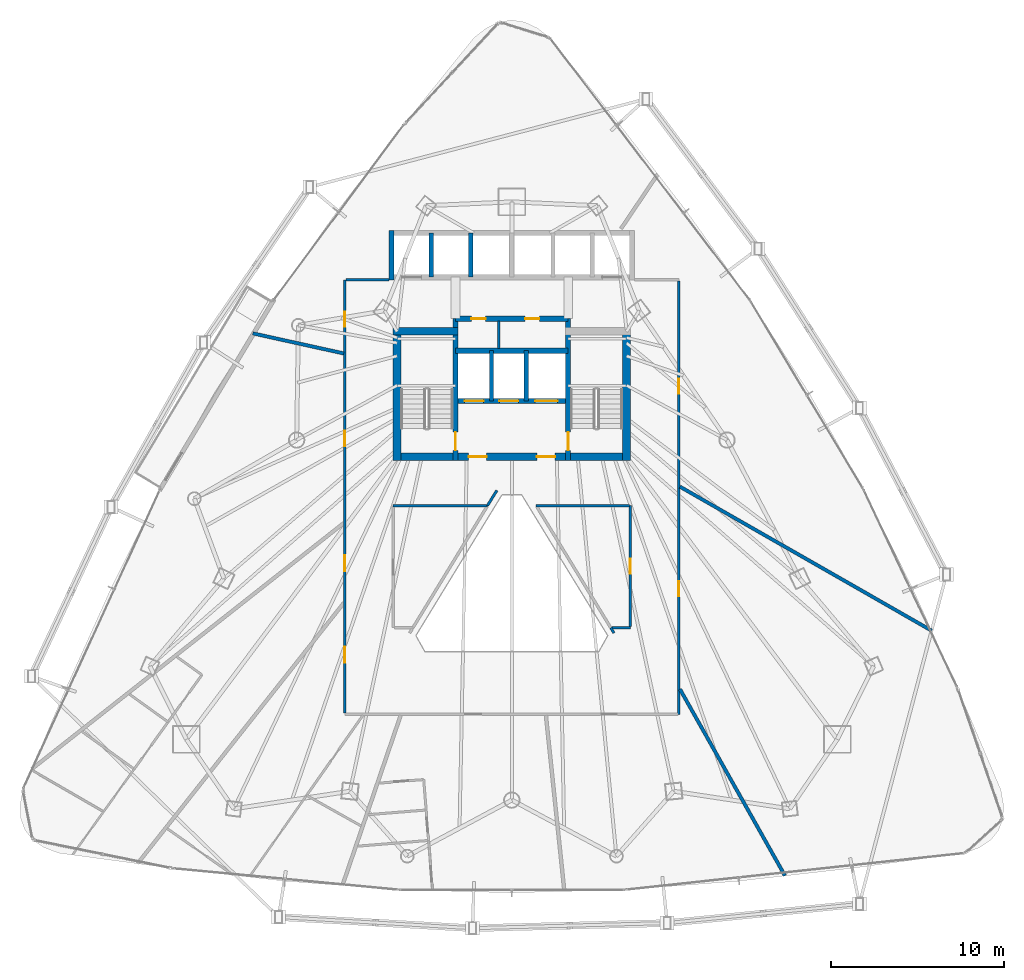
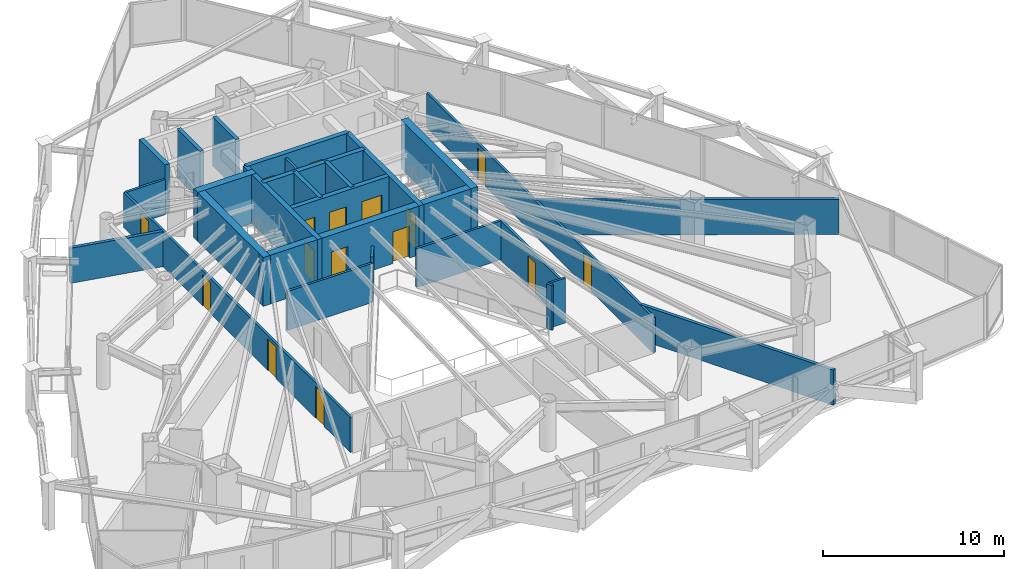
# One storey, part 33 of 38: 27 walls, 16 doors, 16 openings.
"""IFC4 building model written with IfcOpenShell, lengths in metres."""

import ifcopenshell
import ifcopenshell.guid

model = None  # the IFC model being written
_history = None  # IfcOwnerHistory: only IFC2X3 demands one
_inside = {}  # id of a spatial element -> (the spatial element, [elements in it])
_under = {}  # id of a project, library or spatial element -> (it, [spatial elements below it])
_declared = {}  # id of a project -> (the project, [libraries it declares])
_typed = {}  # id of a type object -> (the type object, [elements of that type])
_made_of = {}  # id of a material, layer set ... -> (it, [elements and type objects made of it])


def new_model(schema):
    """Start an empty IFC model of exactly this schema.

    Asked for "IFC4X3", IfcOpenShell would pick the latest addendum, in which some entities
    have other attributes; the version numbers below select the first issue.
    IFC2X3 requires an IfcOwnerHistory on every rooted entity: one is made here for all.
    """
    global model, _history
    if schema == "IFC4X3":
        model = ifcopenshell.file(schema_version=(4, 3, 0, 0))
    else:
        model = ifcopenshell.file(schema=schema)
    _inside.clear()
    _under.clear()
    _declared.clear()
    _typed.clear()
    _made_of.clear()
    _history = None
    if model.schema == "IFC2X3":
        org = make("IfcOrganization", Name="unknown")
        user = make(
            "IfcPersonAndOrganization",
            ThePerson=make("IfcPerson", FamilyName="unknown"),
            TheOrganization=org,
        )
        app = make(
            "IfcApplication",
            ApplicationDeveloper=org,
            Version="unknown",
            ApplicationFullName="unknown",
            ApplicationIdentifier="unknown",
        )
        _history = make(
            "IfcOwnerHistory",
            OwningUser=user,
            OwningApplication=app,
            ChangeAction="ADDED",
            CreationDate=0,
        )
    return model


def make(cls, **values):
    """One entity of the class cls with the attributes given. An attribute that is None is left unset."""
    return model.create_entity(
        cls, **{name: value for name, value in values.items() if value is not None}
    )


def rooted(cls, **values):
    """An entity with a GlobalId (a new one), such as an element, a storey or a relation."""
    return make(cls, GlobalId=ifcopenshell.guid.new(), OwnerHistory=_history, **values)


def si_unit(unit_type, name, prefix=None):
    """IfcSIUnit, for example si_unit("LENGTHUNIT", "METRE", prefix="MILLI")."""
    return make("IfcSIUnit", UnitType=unit_type, Prefix=prefix, Name=name)


def assignment(units):
    """IfcUnitAssignment: the units of a project."""
    return None if units is None else make("IfcUnitAssignment", Units=units)


def point(xyz):
    """IfcCartesianPoint."""
    return None if xyz is None else make("IfcCartesianPoint", Coordinates=xyz)


def direction(xyz):
    """IfcDirection."""
    return None if xyz is None else make("IfcDirection", DirectionRatios=xyz)


def frame(location, z_axis=None, x_axis=None):
    """IfcAxis2Placement3D, a coordinate frame: its origin and axes. An axis left out is left unset."""
    return make(
        "IfcAxis2Placement3D",
        Location=point(location),
        Axis=direction(z_axis),
        RefDirection=direction(x_axis),
    )


def frame_2d(location, x_axis=None):
    """IfcAxis2Placement2D, a coordinate frame in the plane: its origin and x axis."""
    return make(
        "IfcAxis2Placement2D", Location=point(location), RefDirection=direction(x_axis)
    )


def origin():
    """The frame at (0, 0, 0) with its axes left unset."""
    return frame((0.0, 0.0, 0.0))


def place(relative_to, where):
    """IfcLocalPlacement: puts the frame where relative to a parent placement (None: the world)."""
    return make(
        "IfcLocalPlacement", PlacementRelTo=relative_to, RelativePlacement=where
    )


def context(
    kind, dimensions, precision=None, world=None, true_north=None, identifier=None
):
    """IfcGeometricRepresentationContext, for example the 3D "Model" context."""
    return make(
        "IfcGeometricRepresentationContext",
        ContextIdentifier=identifier,
        ContextType=kind,
        CoordinateSpaceDimension=dimensions,
        Precision=precision,
        WorldCoordinateSystem=world,
        TrueNorth=true_north,
    )


def subcontext(parent, identifier, kind, view, scale=None):
    """IfcGeometricRepresentationSubContext, for example "Body" below "Model"."""
    return make(
        "IfcGeometricRepresentationSubContext",
        ContextIdentifier=identifier,
        ContextType=kind,
        ParentContext=parent,
        TargetScale=scale,
        TargetView=view,
    )


def project(units=None, contexts=None):
    """IfcProject with its units and contexts."""
    return rooted(
        "IfcProject",
        Name="project",
        RepresentationContexts=contexts,
        UnitsInContext=assignment(units),
    )


def spatial(cls, under=None, at=None, **own):
    """A site, building, storey or space (cls), placed at a placement, below another one or the project."""
    s = rooted(cls, ObjectPlacement=at, **own)
    if under is not None:
        _under.setdefault(under.id(), (under, []))[1].append(s)
    return s


def profile(cls, at=None, kind="AREA", **sizes):
    """A parametric profile (cls). Its sizes go by their IFC names, for example OverallWidth=200.0."""
    return make(cls, ProfileType=kind, Position=at, **sizes)


def rectangle(**sizes):
    """IfcRectangleProfileDef."""
    return profile("IfcRectangleProfileDef", **sizes)


def extrude(swept, where, along, depth):
    """IfcExtrudedAreaSolid: the profile swept, set in the frame where, extruded along a direction by depth."""
    return make(
        "IfcExtrudedAreaSolid",
        SweptArea=swept,
        Position=where,
        ExtrudedDirection=direction(along),
        Depth=depth,
    )


def shape(context_of_items, identifier, shape_type, items):
    """IfcShapeRepresentation: the items that make up one representation, for example the "Body"."""
    return make(
        "IfcShapeRepresentation",
        ContextOfItems=context_of_items,
        RepresentationIdentifier=identifier,
        RepresentationType=shape_type,
        Items=items,
    )


def material(Name=None, Category=None):
    """IfcMaterial."""
    return make("IfcMaterial", Name=Name, Category=Category)


def layer(
    of_material, thickness, ventilated=None, Name=None, Category=None, Priority=None
):
    """IfcMaterialLayer: one layer of a wall or slab, of a material (None: an air gap)."""
    return make(
        "IfcMaterialLayer",
        Material=of_material,
        LayerThickness=thickness,
        IsVentilated=ventilated,
        Name=Name,
        Category=Category,
        Priority=Priority,
    )


def layer_set(layers, Name=None):
    """IfcMaterialLayerSet."""
    return make("IfcMaterialLayerSet", MaterialLayers=layers, LayerSetName=Name)


def made_of(thing, what):
    """Note that an element or type object is made of a material, layer set ...; save() writes the relation."""
    if what is not None:
        _made_of.setdefault(what.id(), (what, []))[1].append(thing)
    return thing


def type_object(cls, material=None, **own):
    """A type object (cls), such as IfcWallType, which elements share."""
    return made_of(rooted(cls, **own), material)


def element(
    cls,
    number,
    at=None,
    inside=None,
    cuts=None,
    type_object=None,
    material=None,
    context=None,
    identifier="Body",
    shape_type=None,
    held_by="IfcProductDefinitionShape",
    body=None,
    shapes=None,
    **own,
):
    """One element of the class cls, such as IfcWall. Its Tag is "e" and its number.

    at: its placement. inside: the storey or other place that contains it. cuts: it is an
    opening in that element (IfcRelVoidsElement). A single representation is given by context,
    identifier, shape_type and body (its items); several are given by shapes. held_by: the class
    of the entity that holds the representations. save() writes the other relations.
    """
    e = rooted(cls, Tag="e%d" % number, ObjectPlacement=at, **own)
    if body is not None:
        shapes = [shape(context, identifier, shape_type, body)]
    if shapes is not None:
        e.Representation = make(held_by, Representations=shapes)
    if inside is not None:
        _inside.setdefault(inside.id(), (inside, []))[1].append(e)
    if cuts is not None:
        rooted(
            "IfcRelVoidsElement", RelatingBuildingElement=cuts, RelatedOpeningElement=e
        )
    if type_object is not None:
        _typed.setdefault(type_object.id(), (type_object, []))[1].append(e)
    return made_of(e, material)


def fill(opening, filler):
    """IfcRelFillsElement: the door or window that sits in an opening."""
    return rooted(
        "IfcRelFillsElement",
        RelatingOpeningElement=opening,
        RelatedBuildingElement=filler,
    )


def aggregate(whole, parts):
    """IfcRelAggregates: a whole, such as a stair, and the parts it consists of."""
    return rooted("IfcRelAggregates", RelatingObject=whole, RelatedObjects=parts)


def save(model, path):
    """Write the relations noted so far, then the file.

    IfcRelAggregates (storeys below a building ...), IfcRelContainedInSpatialStructure (elements
    in a storey), IfcRelDefinesByType, IfcRelAssociatesMaterial and IfcRelDeclares: one each for
    every whole, place, type object, material and project.
    """
    for whole, parts in _under.values():
        aggregate(whole, parts)
    for where, things in _inside.values():
        rooted(
            "IfcRelContainedInSpatialStructure",
            RelatedElements=things,
            RelatingStructure=where,
        )
    for kind, things in _typed.values():
        rooted("IfcRelDefinesByType", RelatedObjects=things, RelatingType=kind)
    for what, things in _made_of.values():
        rooted("IfcRelAssociatesMaterial", RelatedObjects=things, RelatingMaterial=what)
    for by, libraries in _declared.values():
        rooted("IfcRelDeclares", RelatingContext=by, RelatedDefinitions=libraries)
    model.write(path)


model = new_model("IFC4")

# Units and contexts
model_context = context("Model", 3, precision=1e-05, world=origin(), true_north=direction((0.0, 1.0)))
body_context = subcontext(model_context, "Body", "Model", "MODEL_VIEW")
ifc_project = project(units=[si_unit("LENGTHUNIT", "METRE"), si_unit("AREAUNIT", "SQUARE_METRE"), si_unit("VOLUMEUNIT", "CUBIC_METRE"), si_unit("PLANEANGLEUNIT", "RADIAN"), si_unit("MASSUNIT", "GRAM", prefix="KILO")], contexts=[model_context])

# Site, building, storey
site_placement = place(None, origin())
site = spatial("IfcSite", under=ifc_project, at=site_placement, CompositionType="ELEMENT")
building_placement = place(site_placement, origin())
building = spatial("IfcBuilding", under=site, at=building_placement, Name="Orvanel Arch Residences", CompositionType="ELEMENT")
storey_placement = place(building_placement, frame((0.0, 0.0, 56.60009765625)))
storey = spatial("IfcBuildingStorey", under=building, at=storey_placement, Name="L15", CompositionType="ELEMENT", Elevation=56.60009765625)

# Walls
ifc_material_1 = material(Name="Concrete N50 (50 MPa)", Category="concrete")
ifc_layer_1 = layer(ifc_material_1, 0.25)
ifc_layer_set_1 = layer_set([ifc_layer_1], Name="Concrete N50 (50 MPa)")
wall_type_1 = type_object("IfcWallType", Name="SW-CORE-250", PredefinedType="SHEAR", material=ifc_layer_set_1)
for number, where, z_axis, x_axis, name in (
    (1, (31.824951171875, 29.89990234375, 0.0), (0.0, 0.0, 1.0), (0.0, 1.0, 0.0), "L15 Emergency Lift Inter-Shaft Wall F12"),
    (2, (33.824951171875, 29.89990234375, 0.0), (0.0, 0.0, 1.0), (0.0, 1.0, 0.0), "L15 Emergency Lift Inter-Shaft Wall F2G"),
):
    element("IfcWall", number, at=place(storey_placement, frame(where, z_axis=z_axis, x_axis=x_axis)), inside=storey, type_object=wall_type_1, Name=name, PredefinedType="SHEAR", context=body_context, shape_type="SweptSolid", body=[
        extrude(rectangle(XDim=2.900146484375, YDim=0.25, at=frame_2d((1.4501953125, 0.0))), origin(), (0.0, 0.0, 1.0), 3.2998046875),
    ])
for number, where, z_axis, x_axis, name in (
    (3, (28.35009765625, 37.050048828125, 0.0), (0.0, 0.0, 1.0), (0.0, 1.0, 0.0), "L15 Passenger Lift Inter-Shaft Wall P13"),
    (4, (30.625, 37.050048828125, 0.0), (0.0, 0.0, 1.0), (0.0, 1.0, 0.0), "L15 Passenger Lift Inter-Shaft Wall P35"),
):
    element("IfcWall", number, at=place(storey_placement, frame(where, z_axis=z_axis, x_axis=x_axis)), inside=storey, type_object=wall_type_1, Name=name, PredefinedType="SHEAR", context=body_context, shape_type="SweptSolid", body=[
        extrude(rectangle(XDim=2.550048828125, YDim=0.25, at=frame_2d((1.27490234375, 0.0))), origin(), (0.0, 0.0, 1.0), 3.2998046875),
    ])

# Wall, opening, door
ifc_material_2 = material(Name="Concrete S80 (80 MPa)", Category="concrete")
ifc_layer_2 = layer(ifc_material_2, 0.300048828125)
ifc_layer_set_2 = layer_set([ifc_layer_2], Name="Concrete S80 (80 MPa)")
wall_type_2 = type_object("IfcWallType", Name="SW-CORE-300", PredefinedType="SHEAR", material=ifc_layer_set_2)
wall_1_placement = place(storey_placement, frame((29.75, 26.449951171875, 0.0), z_axis=(0.0, 0.0, 1.0), x_axis=(0.0, 1.0, 0.0)))
wall_1 = element("IfcWall", 5, at=wall_1_placement, inside=storey, type_object=wall_type_2, Name="L15 West Inner Core Spine Shear Wall", PredefinedType="SHEAR", context=body_context, shape_type="SweptSolid", body=[
    extrude(rectangle(XDim=8.199951171875, YDim=0.300048828125, at=frame_2d((4.10009765625, 0.0))), origin(), (0.0, 0.0, 1.0), 3.2998046875),
])
opening_1_placement = place(wall_1_placement, frame((0.60009765625, 0.0, 0.0)))
opening_1 = element("IfcOpeningElement", 6, at=opening_1_placement, cuts=wall_1, Name="Opening DF-120", PredefinedType="OPENING", context=body_context, shape_type="SweptSolid", body=[
    extrude(rectangle(XDim=1.050048828125, YDim=2.14990234375, at=frame_2d((0.52490234375, 1.074951171875))), frame((0.0, 0.159912109375, 0.0), z_axis=(0.0, -1.0, 0.0), x_axis=(1.0, 0.0, 0.0)), (0.0, 0.0, 1.0), 0.320068359375),
])
ifc_material_3 = material(Name="Galvanised steel fire-resisting door assembly", Category="steel")
door_type_1 = type_object("IfcDoorType", Name="DR-FD120-1050", OperationType="NOTDEFINED", PredefinedType="DOOR", material=ifc_material_3)
door_1_placement = place(opening_1_placement, origin())
door_1 = element("IfcDoor", 7, at=door_1_placement, inside=storey, type_object=door_type_1, Name="DR-L15-ST1 L15 Stair 1 Fire Door", OperationType="SINGLE_SWING_LEFT", OverallHeight=2.14990234375, OverallWidth=1.050048828125, PredefinedType="DOOR", context=body_context, shape_type="SweptSolid", body=[
    extrude(rectangle(XDim=1.050048828125, YDim=2.14990234375, at=frame_2d((0.52490234375, 1.074951171875))), frame((0.0, 0.02490234375, 0.0), z_axis=(0.0, -1.0, 0.0), x_axis=(1.0, 0.0, 0.0)), (0.0, 0.0, 1.0), 0.050048828125),
])
fill(opening_1, door_1)

wall_2_placement = place(storey_placement, frame((36.25, 26.449951171875, 0.0), z_axis=(0.0, 0.0, 1.0), x_axis=(0.0, 1.0, 0.0)))
wall_2 = element("IfcWall", 8, at=wall_2_placement, inside=storey, type_object=wall_type_2, Name="L15 East Inner Core Spine Shear Wall", PredefinedType="SHEAR", context=body_context, shape_type="SweptSolid", body=[
    extrude(rectangle(XDim=8.199951171875, YDim=0.300048828125, at=frame_2d((4.10009765625, 0.0))), origin(), (0.0, 0.0, 1.0), 3.2998046875),
])
opening_2_placement = place(wall_2_placement, frame((0.60009765625, 0.0, 0.0)))
opening_2 = element("IfcOpeningElement", 9, at=opening_2_placement, cuts=wall_2, Name="Opening DF-120", PredefinedType="OPENING", context=body_context, shape_type="SweptSolid", body=[
    extrude(rectangle(XDim=1.050048828125, YDim=2.14990234375, at=frame_2d((0.52490234375, 1.074951171875))), frame((0.0, 0.159912109375, 0.0), z_axis=(0.0, -1.0, 0.0), x_axis=(1.0, 0.0, 0.0)), (0.0, 0.0, 1.0), 0.320068359375),
])
door_2_placement = place(opening_2_placement, origin())
door_2 = element("IfcDoor", 10, at=door_2_placement, inside=storey, type_object=door_type_1, Name="DR-L15-ST2 L15 Stair 2 Fire Door", OperationType="SINGLE_SWING_RIGHT", OverallHeight=2.14990234375, OverallWidth=1.050048828125, PredefinedType="DOOR", context=body_context, shape_type="SweptSolid", body=[
    extrude(rectangle(XDim=1.050048828125, YDim=2.14990234375, at=frame_2d((0.52490234375, 1.074951171875))), frame((0.0, 0.02490234375, 0.0), z_axis=(0.0, -1.0, 0.0), x_axis=(1.0, 0.0, 0.0)), (0.0, 0.0, 1.0), 0.050048828125),
])
fill(opening_2, door_2)

# Wall, openings, doors
wall_3_placement = place(storey_placement, frame((36.25, 29.89990234375, 0.0), z_axis=(0.0, 0.0, 1.0), x_axis=(-1.0, 0.0, 0.0)))
wall_3 = element("IfcWall", 11, at=wall_3_placement, inside=storey, type_object=wall_type_2, Name="L15 Emergency Lift Front Core Shear Wall", PredefinedType="SHEAR", context=body_context, shape_type="SweptSolid", body=[
    extrude(rectangle(XDim=6.5, YDim=0.300048828125, at=frame_2d((3.25, 0.0))), origin(), (0.0, 0.0, 1.0), 3.2998046875),
])
opening_3_placement = place(wall_3_placement, frame((4.875, 0.0, 0.0)))
opening_3 = element("IfcOpeningElement", 12, at=opening_3_placement, cuts=wall_3, Name="Opening LD-110", PredefinedType="OPENING", context=body_context, shape_type="SweptSolid", body=[
    extrude(rectangle(XDim=1.10009765625, YDim=2.199951171875, at=frame_2d((0.550048828125, 1.10009765625))), frame((0.0, 0.159912109375, 0.0), z_axis=(0.0, -1.0, 0.0), x_axis=(1.0, 0.0, 0.0)), (0.0, 0.0, 1.0), 0.320068359375),
])
opening_4_placement = place(wall_3_placement, frame((2.875, 0.0, 0.0)))
opening_4 = element("IfcOpeningElement", 13, at=opening_4_placement, cuts=wall_3, Name="Opening LD-110", PredefinedType="OPENING", context=body_context, shape_type="SweptSolid", body=[
    extrude(rectangle(XDim=1.10009765625, YDim=2.199951171875, at=frame_2d((0.550048828125, 1.10009765625))), frame((0.0, 0.159912109375, 0.0), z_axis=(0.0, -1.0, 0.0), x_axis=(1.0, 0.0, 0.0)), (0.0, 0.0, 1.0), 0.320068359375),
])
opening_5_placement = place(wall_3_placement, frame((0.60009765625, 0.0, 0.0)))
opening_5 = element("IfcOpeningElement", 14, at=opening_5_placement, cuts=wall_3, Name="Opening LD-130", PredefinedType="OPENING", context=body_context, shape_type="SweptSolid", body=[
    extrude(rectangle(XDim=1.300048828125, YDim=2.199951171875, at=frame_2d((0.64990234375, 1.10009765625))), frame((0.0, 0.159912109375, 0.0), z_axis=(0.0, -1.0, 0.0), x_axis=(1.0, 0.0, 0.0)), (0.0, 0.0, 1.0), 0.320068359375),
])
door_type_2 = type_object("IfcDoorType", Name="DR-LFT-1100", OperationType="NOTDEFINED", PredefinedType="DOOR", material=ifc_material_3)
door_3_placement = place(opening_3_placement, origin())
door_3 = element("IfcDoor", 15, at=door_3_placement, inside=storey, type_object=door_type_2, Name="LD-F1-L15 L15 Lift F1 Sliding Landing Door", OperationType="DOUBLE_DOOR_SLIDING", OverallHeight=2.199951171875, OverallWidth=1.10009765625, PredefinedType="DOOR", context=body_context, shape_type="SweptSolid", body=[
    extrude(rectangle(XDim=1.10009765625, YDim=2.199951171875, at=frame_2d((0.550048828125, 1.10009765625))), frame((0.0, 0.02490234375, 0.0), z_axis=(0.0, -1.0, 0.0), x_axis=(1.0, 0.0, 0.0)), (0.0, 0.0, 1.0), 0.050048828125),
])
fill(opening_3, door_3)
door_4_placement = place(opening_4_placement, origin())
door_4 = element("IfcDoor", 16, at=door_4_placement, inside=storey, type_object=door_type_2, Name="LD-F2-L15 L15 Lift F2 Sliding Landing Door", OperationType="DOUBLE_DOOR_SLIDING", OverallHeight=2.199951171875, OverallWidth=1.10009765625, PredefinedType="DOOR", context=body_context, shape_type="SweptSolid", body=[
    extrude(rectangle(XDim=1.10009765625, YDim=2.199951171875, at=frame_2d((0.550048828125, 1.10009765625))), frame((0.0, 0.02490234375, 0.0), z_axis=(0.0, -1.0, 0.0), x_axis=(1.0, 0.0, 0.0)), (0.0, 0.0, 1.0), 0.050048828125),
])
fill(opening_4, door_4)
door_type_3 = type_object("IfcDoorType", Name="DR-LFT-1300", OperationType="NOTDEFINED", PredefinedType="DOOR", material=ifc_material_3)
door_5_placement = place(opening_5_placement, origin())
door_5 = element("IfcDoor", 17, at=door_5_placement, inside=storey, type_object=door_type_3, Name="LD-G1-L15 L15 Lift G1 Sliding Landing Door", OperationType="DOUBLE_DOOR_SLIDING", OverallHeight=2.199951171875, OverallWidth=1.300048828125, PredefinedType="DOOR", context=body_context, shape_type="SweptSolid", body=[
    extrude(rectangle(XDim=1.300048828125, YDim=2.199951171875, at=frame_2d((0.64990234375, 1.10009765625))), frame((0.0, 0.02490234375, 0.0), z_axis=(0.0, -1.0, 0.0), x_axis=(1.0, 0.0, 0.0)), (0.0, 0.0, 1.0), 0.050048828125),
])
fill(opening_5, door_5)

# Wall
wall_4_placement = place(storey_placement, frame((29.75, 32.800048828125, 0.0), z_axis=(0.0, 0.0, 1.0), x_axis=(1.0, 0.0, 0.0)))
element("IfcWall", 18, at=wall_4_placement, inside=storey, type_object=wall_type_2, Name="L15 Emergency Lift Back Core Shear Wall", PredefinedType="SHEAR", context=body_context, shape_type="SweptSolid", body=[
    extrude(rectangle(XDim=6.5, YDim=0.300048828125, at=frame_2d((3.25, 0.0))), origin(), (0.0, 0.0, 1.0), 3.2998046875),
])

# Wall, openings, doors
wall_5_placement = place(storey_placement, frame((29.75, 34.64990234375, 0.0), z_axis=(0.0, 0.0, 1.0), x_axis=(1.0, 0.0, 0.0)))
wall_5 = element("IfcWall", 19, at=wall_5_placement, inside=storey, type_object=wall_type_2, Name="L15 Core Service Band North Shear Wall", PredefinedType="SHEAR", context=body_context, shape_type="SweptSolid", body=[
    extrude(rectangle(XDim=6.5, YDim=0.300048828125, at=frame_2d((3.25, 0.0))), origin(), (0.0, 0.0, 1.0), 3.2998046875),
])
opening_6_placement = place(wall_5_placement, frame((0.9150390625, 0.0, 0.0)))
opening_6 = element("IfcOpeningElement", 20, at=opening_6_placement, cuts=wall_5, Name="Opening DS-082", PredefinedType="OPENING", context=body_context, shape_type="SweptSolid", body=[
    extrude(rectangle(XDim=0.820068359375, YDim=2.10009765625, at=frame_2d((0.41015625, 1.050048828125))), frame((0.0, 0.159912109375, 0.0), z_axis=(0.0, -1.0, 0.0), x_axis=(1.0, 0.0, 0.0)), (0.0, 0.0, 1.0), 0.320068359375),
])
opening_7_placement = place(wall_5_placement, frame((4.014892578125, 0.0, 0.0)))
opening_7 = element("IfcOpeningElement", 21, at=opening_7_placement, cuts=wall_5, Name="Opening DW-082", PredefinedType="OPENING", context=body_context, shape_type="SweptSolid", body=[
    extrude(rectangle(XDim=0.820068359375, YDim=2.10009765625, at=frame_2d((0.41015625, 1.050048828125))), frame((0.0, 0.159912109375, 0.0), z_axis=(0.0, -1.0, 0.0), x_axis=(1.0, 0.0, 0.0)), (0.0, 0.0, 1.0), 0.320068359375),
])
door_type_4 = type_object("IfcDoorType", Name="DR-SVC-820", OperationType="NOTDEFINED", PredefinedType="DOOR", material=ifc_material_3)
door_6_placement = place(opening_6_placement, origin())
door_6 = element("IfcDoor", 22, at=door_6_placement, inside=storey, type_object=door_type_4, Name="DR-L15-CSVC-1 L15 Floor Cleaner's Store Door", OperationType="SINGLE_SWING_LEFT", OverallHeight=2.10009765625, OverallWidth=0.820068359375, PredefinedType="DOOR", context=body_context, shape_type="SweptSolid", body=[
    extrude(rectangle(XDim=0.820068359375, YDim=2.10009765625, at=frame_2d((0.41015625, 1.050048828125))), frame((0.0, 0.02490234375, 0.0), z_axis=(0.0, -1.0, 0.0), x_axis=(1.0, 0.0, 0.0)), (0.0, 0.0, 1.0), 0.050048828125),
])
fill(opening_6, door_6)
ifc_material_4 = material(Name="Solid-core European oak veneer fire door leaf", Category="wood")
door_type_5 = type_object("IfcDoorType", Name="DR-WET-820", OperationType="NOTDEFINED", PredefinedType="DOOR", material=ifc_material_4)
door_7_placement = place(opening_7_placement, origin())
door_7 = element("IfcDoor", 23, at=door_7_placement, inside=storey, type_object=door_type_5, Name="DR-L15-CSVC-2 L15 Core Accessible WC Door", OperationType="SINGLE_SWING_LEFT", OverallHeight=2.10009765625, OverallWidth=0.820068359375, PredefinedType="DOOR", context=body_context, shape_type="SweptSolid", body=[
    extrude(rectangle(XDim=0.820068359375, YDim=2.10009765625, at=frame_2d((0.41015625, 1.050048828125))), frame((0.0, 0.02490234375, 0.0), z_axis=(0.0, -1.0, 0.0), x_axis=(1.0, 0.0, 0.0)), (0.0, 0.0, 1.0), 0.050048828125),
])
fill(opening_7, door_7)

# Wall
wall_6_placement = place(storey_placement, frame((26.050048828125, 36.89990234375, 0.0), z_axis=(0.0, 0.0, 1.0), x_axis=(0.0, 1.0, 0.0)))
element("IfcWall", 24, at=wall_6_placement, inside=storey, type_object=wall_type_2, Name="L15 Passenger Lift Bank West Shear Wall", PredefinedType="SHEAR", context=body_context, shape_type="SweptSolid", body=[
    extrude(rectangle(XDim=2.85009765625, YDim=0.300048828125, at=frame_2d((1.425048828125, 0.0))), origin(), (0.0, 0.0, 1.0), 3.2998046875),
])

# Wall, openings, doors
ifc_layer_3 = layer(ifc_material_2, 0.449951171875)
ifc_layer_set_3 = layer_set([ifc_layer_3], Name="Concrete S80 (80 MPa)")
wall_type_3 = type_object("IfcWallType", Name="SW-CORE-450", PredefinedType="SHEAR", material=ifc_layer_set_3)
wall_7_placement = place(storey_placement, frame((26.14990234375, 26.675048828125, 0.0), z_axis=(0.0, 0.0, 1.0), x_axis=(1.0, 0.0, 0.0)))
wall_7 = element("IfcWall", 25, at=wall_7_placement, inside=storey, type_object=wall_type_3, Name="L15 South Core Shear Wall", PredefinedType="SHEAR", context=body_context, shape_type="SweptSolid", body=[
    extrude(rectangle(XDim=13.7001953125, YDim=0.449951171875, at=frame_2d((6.85009765625, 0.0))), origin(), (0.0, 0.0, 1.0), 3.2998046875),
])
opening_8_placement = place(wall_7_placement, frame((4.35009765625, 0.0, 0.0)))
opening_8 = element("IfcOpeningElement", 26, at=opening_8_placement, cuts=wall_7, Name="Opening DF-060", PredefinedType="OPENING", context=body_context, shape_type="SweptSolid", body=[
    extrude(rectangle(XDim=1.050048828125, YDim=2.14990234375, at=frame_2d((0.52490234375, 1.074951171875))), frame((0.0, 0.23486328125, 0.0), z_axis=(0.0, -1.0, 0.0), x_axis=(1.0, 0.0, 0.0)), (0.0, 0.0, 1.0), 0.469970703125),
])
opening_9_placement = place(wall_7_placement, frame((8.300048828125, 0.0, 0.0)))
opening_9 = element("IfcOpeningElement", 27, at=opening_9_placement, cuts=wall_7, Name="Opening DF-060", PredefinedType="OPENING", context=body_context, shape_type="SweptSolid", body=[
    extrude(rectangle(XDim=1.050048828125, YDim=2.14990234375, at=frame_2d((0.52490234375, 1.074951171875))), frame((0.0, 0.23486328125, 0.0), z_axis=(0.0, -1.0, 0.0), x_axis=(1.0, 0.0, 0.0)), (0.0, 0.0, 1.0), 0.469970703125),
])
door_type_6 = type_object("IfcDoorType", Name="DR-FD60-1050", OperationType="NOTDEFINED", PredefinedType="DOOR", material=ifc_material_3)
door_8_placement = place(opening_8_placement, origin())
door_8 = element("IfcDoor", 28, at=door_8_placement, inside=storey, type_object=door_type_6, Name="DR-L15-FFL-W L15 West Smoke Lobby Door", OperationType="SINGLE_SWING_LEFT", OverallHeight=2.14990234375, OverallWidth=1.050048828125, PredefinedType="DOOR", context=body_context, shape_type="SweptSolid", body=[
    extrude(rectangle(XDim=1.050048828125, YDim=2.14990234375, at=frame_2d((0.52490234375, 1.074951171875))), frame((0.0, 0.02490234375, 0.0), z_axis=(0.0, -1.0, 0.0), x_axis=(1.0, 0.0, 0.0)), (0.0, 0.0, 1.0), 0.050048828125),
])
fill(opening_8, door_8)
door_9_placement = place(opening_9_placement, origin())
door_9 = element("IfcDoor", 29, at=door_9_placement, inside=storey, type_object=door_type_6, Name="DR-L15-FFL-E L15 East Smoke Lobby Door", OperationType="SINGLE_SWING_RIGHT", OverallHeight=2.14990234375, OverallWidth=1.050048828125, PredefinedType="DOOR", context=body_context, shape_type="SweptSolid", body=[
    extrude(rectangle(XDim=1.050048828125, YDim=2.14990234375, at=frame_2d((0.52490234375, 1.074951171875))), frame((0.0, 0.02490234375, 0.0), z_axis=(0.0, -1.0, 0.0), x_axis=(1.0, 0.0, 0.0)), (0.0, 0.0, 1.0), 0.050048828125),
])
fill(opening_9, door_9)

# Walls
wall_8_placement = place(storey_placement, frame((26.375, 26.449951171875, 0.0), z_axis=(0.0, 0.0, 1.0), x_axis=(0.0, 1.0, 0.0)))
element("IfcWall", 30, at=wall_8_placement, inside=storey, type_object=wall_type_3, Name="L15 West Stair Shear Wall", PredefinedType="SHEAR", context=body_context, shape_type="SweptSolid", body=[
    extrude(rectangle(XDim=7.699951171875, YDim=0.449951171875, at=frame_2d((3.85009765625, 0.0))), origin(), (0.0, 0.0, 1.0), 3.2998046875),
])
wall_9_placement = place(storey_placement, frame((26.14990234375, 33.925048828125, 0.0), z_axis=(0.0, 0.0, 1.0), x_axis=(1.0, 0.0, 0.0)))
element("IfcWall", 31, at=wall_9_placement, inside=storey, type_object=wall_type_3, Name="L15 West Stair North Shear Wall", PredefinedType="SHEAR", context=body_context, shape_type="SweptSolid", body=[
    extrude(rectangle(XDim=3.75, YDim=0.449951171875, at=frame_2d((1.875, 0.0))), origin(), (0.0, 0.0, 1.0), 3.2998046875),
])
wall_10_placement = place(storey_placement, frame((39.625, 26.449951171875, 0.0), z_axis=(0.0, 0.0, 1.0), x_axis=(0.0, 1.0, 0.0)))
element("IfcWall", 32, at=wall_10_placement, inside=storey, type_object=wall_type_3, Name="L15 East Stair Shear Wall", PredefinedType="SHEAR", context=body_context, shape_type="SweptSolid", body=[
    extrude(rectangle(XDim=7.699951171875, YDim=0.449951171875, at=frame_2d((3.85009765625, 0.0))), origin(), (0.0, 0.0, 1.0), 3.2998046875),
])

# Wall, openings, doors
ifc_material_5 = material(Name="Fire-rated plasterboard lined steel stud partition", Category="steel")
ifc_layer_4 = layer(ifc_material_5, 0.14990234375)
ifc_layer_set_4 = layer_set([ifc_layer_4], Name="Fire-rated plasterboard lined steel stud partition")
wall_type_4 = type_object("IfcWallType", Name="W-COR-150", PredefinedType="PARTITIONING", material=ifc_layer_set_4)
wall_11_placement = place(storey_placement, frame((42.64990234375, 36.840087890625, 0.0), z_axis=(0.0, 0.0, 1.0), x_axis=(0.0, -1.0, 0.0)))
wall_11 = element("IfcWall", 33, at=wall_11_placement, inside=storey, type_object=wall_type_4, Name="L15 Corridor Fire-Rated Partition", PredefinedType="PARTITIONING", context=body_context, shape_type="SweptSolid", body=[
    extrude(rectangle(XDim=25.0400390625, YDim=0.14990234375, at=frame_2d((12.52001953125, 0.0))), origin(), (0.0, 0.0, 1.0), 2.372802734375),
])
opening_10_placement = place(wall_11_placement, frame((17.343994140625, 0.0, 0.0)))
opening_10 = element("IfcOpeningElement", 34, at=opening_10_placement, cuts=wall_11, Name="Opening DI-088", PredefinedType="OPENING", context=body_context, shape_type="SweptSolid", body=[
    extrude(rectangle(XDim=0.8798828125, YDim=2.10009765625, at=frame_2d((0.43994140625, 1.050048828125))), frame((0.0, 0.0849609375, 0.0), z_axis=(0.0, -1.0, 0.0), x_axis=(1.0, 0.0, 0.0)), (0.0, 0.0, 1.0), 0.169921875),
])
opening_11_placement = place(wall_11_placement, frame((5.656005859375, 0.0, 0.0)))
opening_11 = element("IfcOpeningElement", 35, at=opening_11_placement, cuts=wall_11, Name="Opening DI-088", PredefinedType="OPENING", context=body_context, shape_type="SweptSolid", body=[
    extrude(rectangle(XDim=0.8798828125, YDim=2.10009765625, at=frame_2d((0.43994140625, 1.050048828125))), frame((0.0, 0.0849609375, 0.0), z_axis=(0.0, -1.0, 0.0), x_axis=(1.0, 0.0, 0.0)), (0.0, 0.0, 1.0), 0.169921875),
])
door_type_7 = type_object("IfcDoorType", Name="DR-INT-880", OperationType="NOTDEFINED", PredefinedType="DOOR", material=ifc_material_4)
door_10_placement = place(opening_10_placement, origin())
door_10 = element("IfcDoor", 36, at=door_10_placement, inside=storey, type_object=door_type_7, Name="DR-L15-SHRD-FB1 L15 Co-Working Study Office A Door", OperationType="SINGLE_SWING_LEFT", OverallHeight=2.10009765625, OverallWidth=0.8798828125, PredefinedType="DOOR", context=body_context, shape_type="SweptSolid", body=[
    extrude(rectangle(XDim=0.8798828125, YDim=2.10009765625, at=frame_2d((0.43994140625, 1.050048828125))), frame((0.0, 0.02490234375, 0.0), z_axis=(0.0, -1.0, 0.0), x_axis=(1.0, 0.0, 0.0)), (0.0, 0.0, 1.0), 0.050048828125),
])
fill(opening_10, door_10)
door_11_placement = place(opening_11_placement, origin())
door_11 = element("IfcDoor", 37, at=door_11_placement, inside=storey, type_object=door_type_7, Name="DR-L15-SHRD-FB4 L15 Co-Working Study Office D Door", OperationType="SINGLE_SWING_LEFT", OverallHeight=2.10009765625, OverallWidth=0.8798828125, PredefinedType="DOOR", context=body_context, shape_type="SweptSolid", body=[
    extrude(rectangle(XDim=0.8798828125, YDim=2.10009765625, at=frame_2d((0.43994140625, 1.050048828125))), frame((0.0, 0.02490234375, 0.0), z_axis=(0.0, -1.0, 0.0), x_axis=(1.0, 0.0, 0.0)), (0.0, 0.0, 1.0), 0.050048828125),
])
fill(opening_11, door_11)

wall_12_placement = place(storey_placement, frame((23.35009765625, 11.860107421875, 0.0), z_axis=(0.0, 0.0, 1.0), x_axis=(0.0, 1.0, 0.0)))
wall_12 = element("IfcWall", 38, at=wall_12_placement, inside=storey, type_object=wall_type_4, Name="L15 Corridor Fire-Rated Partition", PredefinedType="PARTITIONING", context=body_context, shape_type="SweptSolid", body=[
    extrude(rectangle(XDim=25.039794921875, YDim=0.14990234375, at=frame_2d((12.52001953125, 0.0))), origin(), (0.0, 0.0, 1.0), 2.372802734375),
])
opening_12_placement = place(wall_12_placement, frame((15.43408203125, 0.0, 0.0)))
opening_12 = element("IfcOpeningElement", 39, at=opening_12_placement, cuts=wall_12, Name="Opening DI-088", PredefinedType="OPENING", context=body_context, shape_type="SweptSolid", body=[
    extrude(rectangle(XDim=0.8798828125, YDim=2.10009765625, at=frame_2d((0.43994140625, 1.050048828125))), frame((0.0, 0.0849609375, 0.0), z_axis=(0.0, -1.0, 0.0), x_axis=(1.0, 0.0, 0.0)), (0.0, 0.0, 1.0), 0.169921875),
])
opening_13_placement = place(wall_12_placement, frame((22.31494140625, 0.0, 0.0)))
opening_13 = element("IfcOpeningElement", 40, at=opening_13_placement, cuts=wall_12, Name="Opening DI-088", PredefinedType="OPENING", context=body_context, shape_type="SweptSolid", body=[
    extrude(rectangle(XDim=0.8798828125, YDim=2.10009765625, at=frame_2d((0.43994140625, 1.050048828125))), frame((0.0, 0.0849609375, 0.0), z_axis=(0.0, -1.0, 0.0), x_axis=(1.0, 0.0, 0.0)), (0.0, 0.0, 1.0), 0.169921875),
])
opening_14_placement = place(wall_12_placement, frame((8.2099609375, 0.0, 0.0)))
opening_14 = element("IfcOpeningElement", 41, at=opening_14_placement, cuts=wall_12, Name="Opening DA-092", PredefinedType="OPENING", context=body_context, shape_type="SweptSolid", body=[
    extrude(rectangle(XDim=0.919921875, YDim=2.14990234375, at=frame_2d((0.4599609375, 1.074951171875))), frame((0.0, 0.0849609375, 0.0), z_axis=(0.0, -1.0, 0.0), x_axis=(1.0, 0.0, 0.0)), (0.0, 0.0, 1.0), 0.169921875),
])
opening_15_placement = place(wall_12_placement, frame((2.912109375, 0.0, 0.0)))
opening_15 = element("IfcOpeningElement", 42, at=opening_15_placement, cuts=wall_12, Name="Opening DA-092", PredefinedType="OPENING", context=body_context, shape_type="SweptSolid", body=[
    extrude(rectangle(XDim=0.919921875, YDim=2.14990234375, at=frame_2d((0.4599609375, 1.074951171875))), frame((0.0, 0.0849609375, 0.0), z_axis=(0.0, -1.0, 0.0), x_axis=(1.0, 0.0, 0.0)), (0.0, 0.0, 1.0), 0.169921875),
])
door_type_8 = type_object("IfcDoorType", Name="DR-APT-920", OperationType="NOTDEFINED", PredefinedType="DOOR", material=ifc_material_4)
door_12_placement = place(opening_14_placement, origin())
door_12 = element("IfcDoor", 43, at=door_12_placement, inside=storey, type_object=door_type_8, Name="DR-L15-E-ENT L15 Flat E Entrance Door", OperationType="SINGLE_SWING_RIGHT", OverallHeight=2.14990234375, OverallWidth=0.919921875, PredefinedType="DOOR", context=body_context, shape_type="SweptSolid", body=[
    extrude(rectangle(XDim=0.919921875, YDim=2.14990234375, at=frame_2d((0.4599609375, 1.074951171875))), frame((0.0, 0.02490234375, 0.0), z_axis=(0.0, -1.0, 0.0), x_axis=(1.0, 0.0, 0.0)), (0.0, 0.0, 1.0), 0.050048828125),
])
fill(opening_14, door_12)
door_13_placement = place(opening_15_placement, origin())
door_13 = element("IfcDoor", 44, at=door_13_placement, inside=storey, type_object=door_type_8, Name="DR-L15-F-ENT L15 Flat F Entrance Door", OperationType="SINGLE_SWING_LEFT", OverallHeight=2.14990234375, OverallWidth=0.919921875, PredefinedType="DOOR", context=body_context, shape_type="SweptSolid", body=[
    extrude(rectangle(XDim=0.919921875, YDim=2.14990234375, at=frame_2d((0.4599609375, 1.074951171875))), frame((0.0, 0.02490234375, 0.0), z_axis=(0.0, -1.0, 0.0), x_axis=(1.0, 0.0, 0.0)), (0.0, 0.0, 1.0), 0.050048828125),
])
fill(opening_15, door_13)
door_14_placement = place(opening_12_placement, origin())
door_14 = element("IfcDoor", 45, at=door_14_placement, inside=storey, type_object=door_type_7, Name="DR-L15-SHRD-FB2 L15 Co-Working Study Office B Door", OperationType="SINGLE_SWING_LEFT", OverallHeight=2.10009765625, OverallWidth=0.8798828125, PredefinedType="DOOR", context=body_context, shape_type="SweptSolid", body=[
    extrude(rectangle(XDim=0.8798828125, YDim=2.10009765625, at=frame_2d((0.43994140625, 1.050048828125))), frame((0.0, 0.02490234375, 0.0), z_axis=(0.0, -1.0, 0.0), x_axis=(1.0, 0.0, 0.0)), (0.0, 0.0, 1.0), 0.050048828125),
])
fill(opening_12, door_14)
door_15_placement = place(opening_13_placement, origin())
door_15 = element("IfcDoor", 46, at=door_15_placement, inside=storey, type_object=door_type_7, Name="DR-L15-SHRD-FB3 L15 Co-Working Study Office C Door", OperationType="SINGLE_SWING_LEFT", OverallHeight=2.10009765625, OverallWidth=0.8798828125, PredefinedType="DOOR", context=body_context, shape_type="SweptSolid", body=[
    extrude(rectangle(XDim=0.8798828125, YDim=2.10009765625, at=frame_2d((0.43994140625, 1.050048828125))), frame((0.0, 0.02490234375, 0.0), z_axis=(0.0, -1.0, 0.0), x_axis=(1.0, 0.0, 0.0)), (0.0, 0.0, 1.0), 0.050048828125),
])
fill(opening_13, door_15)

# Walls
wall_13_placement = place(storey_placement, frame((23.409912109375, 36.89990234375, 0.0), z_axis=(0.0, 0.0, 1.0), x_axis=(1.0, 0.0, 0.0)))
element("IfcWall", 47, at=wall_13_placement, inside=storey, type_object=wall_type_4, Name="L15 Corridor Fire-Rated Partition", PredefinedType="PARTITIONING", context=body_context, shape_type="SweptSolid", body=[
    extrude(rectangle(XDim=2.489990234375, YDim=0.14990234375, at=frame_2d((1.2451171875, 0.0))), origin(), (0.0, 0.0, 1.0), 2.372802734375),
])
wall_14_placement = place(storey_placement, frame((32.134033203125, 24.72802734375, 0.0), z_axis=(0.0, 0.0, 1.0), x_axis=(-0.525996314714, -0.850486846993, 0.0)))
element("IfcWall", 48, at=wall_14_placement, inside=storey, type_object=wall_type_4, Name="L15 Corridor Fire-Rated Partition", PredefinedType="PARTITIONING", context=body_context, shape_type="SweptSolid", body=[
    extrude(rectangle(XDim=1.0322265625, YDim=0.14990234375, at=frame_2d((0.51611328125, 0.0))), origin(), (0.0, 0.0, 1.0), 3.02001953125),
])
wall_15_placement = place(storey_placement, frame((31.591064453125, 23.85009765625, 0.0), z_axis=(0.0, 0.0, 1.0), x_axis=(-1.0, 0.0, 0.0)))
element("IfcWall", 49, at=wall_15_placement, inside=storey, type_object=wall_type_4, Name="L15 Corridor Fire-Rated Partition", PredefinedType="PARTITIONING", context=body_context, shape_type="SweptSolid", body=[
    extrude(rectangle(XDim=5.441162109375, YDim=0.14990234375, at=frame_2d((2.720703125, 0.0))), origin(), (0.0, 0.0, 1.0), 2.62890625),
])
wall_16_placement = place(storey_placement, frame((38.89697265625, 16.498046875, 0.0), z_axis=(0.0, 0.0, 1.0), x_axis=(-0.507720001023, 0.861522141654, 0.0)))
element("IfcWall", 50, at=wall_16_placement, inside=storey, type_object=wall_type_4, Name="L15 Corridor Fire-Rated Partition", PredefinedType="PARTITIONING", context=body_context, shape_type="SweptSolid", body=[
    extrude(rectangle(XDim=0.3505859375, YDim=0.14990234375, at=frame_2d((0.17529296875, 0.0))), origin(), (0.0, 0.0, 1.0), 3.02001953125),
])
wall_17_placement = place(storey_placement, frame((38.7890625, 16.800048828125, 0.0), z_axis=(0.0, 0.0, 1.0), x_axis=(1.0, 0.0, 0.0)))
element("IfcWall", 51, at=wall_17_placement, inside=storey, type_object=wall_type_4, Name="L15 Corridor Fire-Rated Partition", PredefinedType="PARTITIONING", context=body_context, shape_type="SweptSolid", body=[
    extrude(rectangle(XDim=1.06103515625, YDim=0.14990234375, at=frame_2d((0.530517578125, 0.0))), origin(), (0.0, 0.0, 1.0), 3.02001953125),
])

# Wall, opening, door
wall_18_placement = place(storey_placement, frame((39.85009765625, 16.860107421875, 0.0), z_axis=(0.0, 0.0, 1.0), x_axis=(0.0, 1.0, 0.0)))
wall_18 = element("IfcWall", 52, at=wall_18_placement, inside=storey, type_object=wall_type_4, Name="L15 Corridor Fire-Rated Partition", PredefinedType="PARTITIONING", context=body_context, shape_type="SweptSolid", body=[
    extrude(rectangle(XDim=6.989990234375, YDim=0.14990234375, at=frame_2d((3.4951171875, 0.0))), origin(), (0.0, 0.0, 1.0), 2.62890625),
])
opening_16_placement = place(wall_18_placement, frame((3.054931640625, 0.0, 0.0)))
opening_16 = element("IfcOpeningElement", 53, at=opening_16_placement, cuts=wall_18, Name="Opening DI-088", PredefinedType="OPENING", context=body_context, shape_type="SweptSolid", body=[
    extrude(rectangle(XDim=0.8798828125, YDim=2.10009765625, at=frame_2d((0.43994140625, 1.050048828125))), frame((0.0, 0.0849609375, 0.0), z_axis=(0.0, -1.0, 0.0), x_axis=(1.0, 0.0, 0.0)), (0.0, 0.0, 1.0), 0.169921875),
])
door_16_placement = place(opening_16_placement, origin())
door_16 = element("IfcDoor", 54, at=door_16_placement, inside=storey, type_object=door_type_7, Name="DR-L15-SHRD-FB10 L15 Co-Working Study Office J Door", OperationType="SINGLE_SWING_LEFT", OverallHeight=2.10009765625, OverallWidth=0.8798828125, PredefinedType="DOOR", context=body_context, shape_type="SweptSolid", body=[
    extrude(rectangle(XDim=0.8798828125, YDim=2.10009765625, at=frame_2d((0.43994140625, 1.050048828125))), frame((0.0, 0.02490234375, 0.0), z_axis=(0.0, -1.0, 0.0), x_axis=(1.0, 0.0, 0.0)), (0.0, 0.0, 1.0), 0.050048828125),
])
fill(opening_16, door_16)

# Walls
wall_19_placement = place(storey_placement, frame((39.7900390625, 23.85009765625, 0.0), z_axis=(0.0, 0.0, 1.0), x_axis=(-1.0, 0.0, 0.0)))
element("IfcWall", 55, at=wall_19_placement, inside=storey, type_object=wall_type_4, Name="L15 Corridor Fire-Rated Partition", PredefinedType="PARTITIONING", context=body_context, shape_type="SweptSolid", body=[
    extrude(rectangle(XDim=5.381103515625, YDim=0.14990234375, at=frame_2d((2.6904296875, 0.0))), origin(), (0.0, 0.0, 1.0), 2.62890625),
])
ifc_layer_5 = layer(ifc_material_5, 0.199951171875)
ifc_layer_set_5 = layer_set([ifc_layer_5], Name="Fire-rated plasterboard lined steel stud partition")
wall_type_5 = type_object("IfcWallType", Name="W-DEM-200", PredefinedType="PARTITIONING", material=ifc_layer_set_5)
wall_20_placement = place(storey_placement, frame((42.7099609375, 24.947021484375, 0.0), z_axis=(0.0, 0.0, 1.0), x_axis=(0.868086992596, -0.49641210026, 0.0)))
element("IfcWall", 56, at=wall_20_placement, inside=storey, type_object=wall_type_5, Name="L15 Inter-Tenancy Acoustic Demising Wall", PredefinedType="PARTITIONING", context=body_context, shape_type="SweptSolid", body=[
    extrude(rectangle(XDim=16.74609375, YDim=0.199951171875, at=frame_2d((8.373046875, 0.0))), origin(), (0.0, 0.0, 1.0), 2.372802734375),
])
wall_21_placement = place(storey_placement, frame((48.777099609375, 2.47705078125, 0.0), z_axis=(0.0, 0.0, 1.0), x_axis=(-0.490577996894, 0.871397285377, 0.0)))
element("IfcWall", 57, at=wall_21_placement, inside=storey, type_object=wall_type_5, Name="L15 Inter-Tenancy Acoustic Demising Wall", PredefinedType="PARTITIONING", context=body_context, shape_type="SweptSolid", body=[
    extrude(rectangle(XDim=12.367431640625, YDim=0.199951171875, at=frame_2d((6.18359375, 0.0))), origin(), (0.0, 0.0, 1.0), 2.372802734375),
])
wall_22_placement = place(storey_placement, frame((18.034912109375, 33.803955078125, 0.0), z_axis=(0.0, 0.0, 1.0), x_axis=(0.976496681047, -0.215532438172, 0.0)))
element("IfcWall", 58, at=wall_22_placement, inside=storey, type_object=wall_type_5, Name="L15 Inter-Tenancy Acoustic Demising Wall", PredefinedType="PARTITIONING", context=body_context, shape_type="SweptSolid", body=[
    extrude(rectangle(XDim=5.381591796875, YDim=0.199951171875, at=frame_2d((2.69091796875, 0.0))), origin(), (0.0, 0.0, 1.0), 2.372802734375),
])
ifc_layer_6 = layer(ifc_material_5, 0.14990234375)
ifc_layer_set_6 = layer_set([ifc_layer_6], Name="Fire-rated plasterboard lined steel stud partition")
wall_type_6 = type_object("IfcWallType", Name="W-ST-150", PredefinedType="PARTITIONING", material=ifc_layer_set_6)
wall_23_placement = place(storey_placement, frame((32.25, 32.93505859375, 0.0), z_axis=(0.0, 0.0, 1.0), x_axis=(0.0, 1.0, 0.0)))
element("IfcWall", 59, at=wall_23_placement, inside=storey, type_object=wall_type_6, Name="L15 Core Service Partition 1", PredefinedType="PARTITIONING", context=body_context, shape_type="SweptSolid", body=[
    extrude(rectangle(XDim=1.579833984375, YDim=0.14990234375, at=frame_2d((0.7900390625, 0.0))), origin(), (0.0, 0.0, 1.0), 3.02001953125),
])

save(model, "model.ifc")
